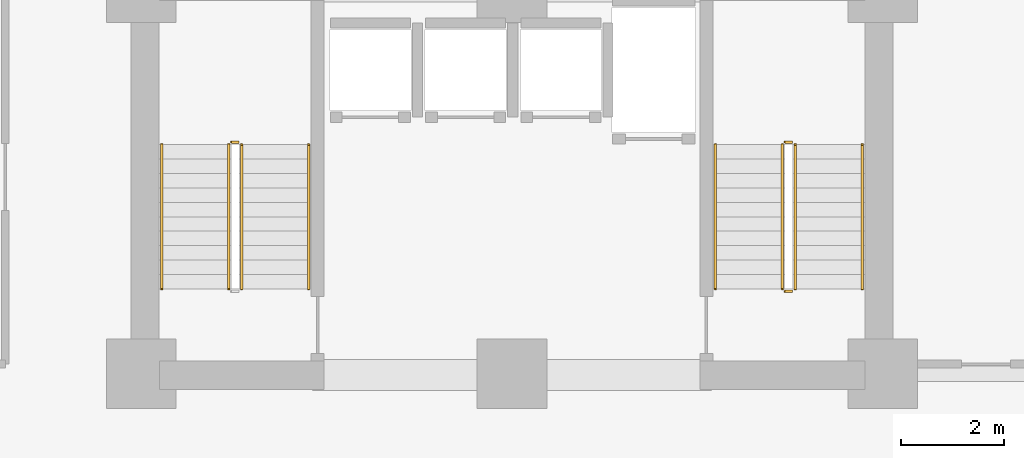
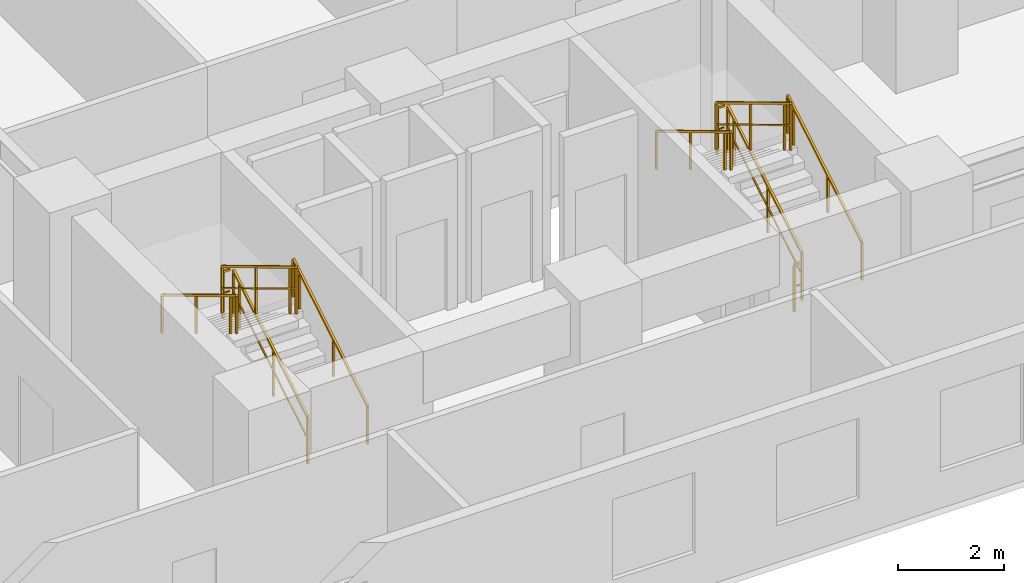
# One storey, part 18 of 19: 11 railings.
"""IFC4 building model written with IfcOpenShell, lengths in metres."""

from ifc_helpers import new_model, si_unit, direction, frame, origin, origin_2d, place, context, subcontext, project, spatial, rectangle, extrude, material, type_object, element, save


model = new_model("IFC4")

# Units and contexts
model_context = context("Model", 3, precision=1e-05, world=origin(), true_north=direction((0.0, 1.0)))
body_context = subcontext(model_context, "Body", "Model", "MODEL_VIEW")
ifc_project = project(units=[si_unit("LENGTHUNIT", "METRE"), si_unit("AREAUNIT", "SQUARE_METRE"), si_unit("VOLUMEUNIT", "CUBIC_METRE"), si_unit("PLANEANGLEUNIT", "RADIAN"), si_unit("MASSUNIT", "GRAM", prefix="KILO")], contexts=[model_context])

# Site, building, storey
site_placement = place(None, origin())
site = spatial("IfcSite", under=ifc_project, at=site_placement, CompositionType="ELEMENT")
building_placement = place(site_placement, origin())
building = spatial("IfcBuilding", under=site, at=building_placement, Name="Kaliganga Portal Commons", CompositionType="ELEMENT")
storey_placement = place(building_placement, frame((0.0, 0.0, 47.5)))
storey = spatial("IfcBuildingStorey", under=building, at=storey_placement, Name="L11", CompositionType="ELEMENT", Elevation=47.5)

# Railings
ifc_material_1 = material(Name="Galvanized Painted Steel Balustrade", Category="steel")
railing_type_1 = type_object("IfcRailingType", Name="RLG-STAIR-GRD", PredefinedType="GUARDRAIL", material=ifc_material_1)
railing_1_placement = place(storey_placement, frame((37.949951171875, 8.699951171875, 0.168212890625)))
element("IfcRailing", 1, at=railing_1_placement, inside=storey, type_object=railing_type_1, Name="L11 ST-B1 stair guard 1", PredefinedType="GUARDRAIL", context=body_context, shape_type="SweptSolid", body=[
    extrude(rectangle(XDim=0.048095703125, YDim=0.048095703125, at=origin_2d()), frame((0.0, 0.0, 1.072021484375), z_axis=(0.0, 0.857242210791, 0.514913383045), x_axis=(-1.0, 0.0, 0.0)), (0.0, 0.0, 1.0), 3.266357421875),
    extrude(rectangle(XDim=0.028076171875, YDim=0.028076171875, at=origin_2d()), frame((0.0, 0.0, 0.572021484375), z_axis=(0.0, 0.857242210791, 0.514913383045), x_axis=(-1.0, 0.0, 0.0)), (0.0, 0.0, 1.0), 3.266357421875),
    extrude(rectangle(XDim=0.0419921875, YDim=0.0419921875, at=origin_2d()), origin(), (0.0, 0.0, 1.0), 1.052001953125),
    extrude(rectangle(XDim=0.0419921875, YDim=0.0419921875, at=origin_2d()), frame((0.0, 1.285888671875, 0.7724609375)), (0.0, 0.0, 1.0), 1.052001953125),
    extrude(rectangle(XDim=0.0419921875, YDim=0.0419921875, at=origin_2d()), frame((0.0, 2.57177734375, 1.544677734375)), (0.0, 0.0, 1.0), 1.052001953125),
    extrude(rectangle(XDim=0.0419921875, YDim=0.0419921875, at=origin_2d()), frame((0.0, 2.800048828125, 1.681884765625)), (0.0, 0.0, 1.0), 1.052001953125),
])
railing_2_placement = place(storey_placement, frame((37.89990234375, 11.550048828125, 1.85009765625)))
element("IfcRailing", 2, at=railing_2_placement, inside=storey, type_object=railing_type_1, Name="L11 ST-B1 stair guard 2", PredefinedType="GUARDRAIL", context=body_context, shape_type="SweptSolid", body=[
    extrude(rectangle(XDim=0.048095703125, YDim=0.048095703125, at=origin_2d()), frame((0.0, 0.0, 1.076171875), z_axis=(-1.0, 0.0, 0.0), x_axis=(0.0, -1.0, 0.0)), (0.0, 0.0, 1.0), 0.14990234375),
    extrude(rectangle(XDim=0.028076171875, YDim=0.028076171875, at=origin_2d()), frame((0.0, 0.0, 0.572021484375), z_axis=(-1.0, 0.0, 0.0), x_axis=(0.0, -1.0, 0.0)), (0.0, 0.0, 1.0), 0.14990234375),
    extrude(rectangle(XDim=0.0419921875, YDim=0.0419921875, at=origin_2d()), frame((-0.14990234375, 0.0, 0.0)), (0.0, 0.0, 1.0), 1.052001953125),
])
railing_3_placement = place(storey_placement, frame((37.699951171875, 11.5, 2.01806640625)))
element("IfcRailing", 3, at=railing_3_placement, inside=storey, type_object=railing_type_1, Name="L11 ST-B1 stair guard 3", PredefinedType="GUARDRAIL", context=body_context, shape_type="SweptSolid", body=[
    extrude(rectangle(XDim=0.048095703125, YDim=0.048095703125, at=origin_2d()), frame((0.0, 0.0, 1.072021484375), z_axis=(0.0, -0.857242210791, 0.514913383045), x_axis=(1.0, 0.0, 0.0)), (0.0, 0.0, 1.0), 3.266357421875),
    extrude(rectangle(XDim=0.028076171875, YDim=0.028076171875, at=origin_2d()), frame((0.0, 0.0, 0.572021484375), z_axis=(0.0, -0.857242210791, 0.514913383045), x_axis=(1.0, 0.0, 0.0)), (0.0, 0.0, 1.0), 3.266357421875),
    extrude(rectangle(XDim=0.0419921875, YDim=0.0419921875, at=origin_2d()), origin(), (0.0, 0.0, 1.0), 1.052001953125),
    extrude(rectangle(XDim=0.0419921875, YDim=0.0419921875, at=origin_2d()), frame((0.0, -1.285888671875, 0.7724609375)), (0.0, 0.0, 1.0), 1.052001953125),
    extrude(rectangle(XDim=0.0419921875, YDim=0.0419921875, at=origin_2d()), frame((0.0, -2.57177734375, 1.544677734375)), (0.0, 0.0, 1.0), 1.052001953125),
    extrude(rectangle(XDim=0.0419921875, YDim=0.0419921875, at=origin_2d()), frame((0.0, -2.800048828125, 1.681884765625)), (0.0, 0.0, 1.0), 1.052001953125),
])
railing_4_placement = place(storey_placement, frame((48.699951171875, 8.699951171875, 0.168212890625)))
element("IfcRailing", 4, at=railing_4_placement, inside=storey, type_object=railing_type_1, Name="L11 ST-B2 stair guard 1", PredefinedType="GUARDRAIL", context=body_context, shape_type="SweptSolid", body=[
    extrude(rectangle(XDim=0.048095703125, YDim=0.048095703125, at=origin_2d()), frame((0.0, 0.0, 1.072021484375), z_axis=(0.0, 0.857242210791, 0.514913383045), x_axis=(-1.0, 0.0, 0.0)), (0.0, 0.0, 1.0), 3.266357421875),
    extrude(rectangle(XDim=0.028076171875, YDim=0.028076171875, at=origin_2d()), frame((0.0, 0.0, 0.572021484375), z_axis=(0.0, 0.857242210791, 0.514913383045), x_axis=(-1.0, 0.0, 0.0)), (0.0, 0.0, 1.0), 3.266357421875),
    extrude(rectangle(XDim=0.0419921875, YDim=0.0419921875, at=origin_2d()), origin(), (0.0, 0.0, 1.0), 1.052001953125),
    extrude(rectangle(XDim=0.0419921875, YDim=0.0419921875, at=origin_2d()), frame((0.0, 1.285888671875, 0.7724609375)), (0.0, 0.0, 1.0), 1.052001953125),
    extrude(rectangle(XDim=0.0419921875, YDim=0.0419921875, at=origin_2d()), frame((0.0, 2.57177734375, 1.544677734375)), (0.0, 0.0, 1.0), 1.052001953125),
    extrude(rectangle(XDim=0.0419921875, YDim=0.0419921875, at=origin_2d()), frame((0.0, 2.800048828125, 1.681884765625)), (0.0, 0.0, 1.0), 1.052001953125),
])
railing_5_placement = place(storey_placement, frame((48.64990234375, 11.550048828125, 1.85009765625)))
element("IfcRailing", 5, at=railing_5_placement, inside=storey, type_object=railing_type_1, Name="L11 ST-B2 stair guard 2", PredefinedType="GUARDRAIL", context=body_context, shape_type="SweptSolid", body=[
    extrude(rectangle(XDim=0.048095703125, YDim=0.048095703125, at=origin_2d()), frame((0.0, 0.0, 1.076171875), z_axis=(-1.0, 0.0, 0.0), x_axis=(0.0, -1.0, 0.0)), (0.0, 0.0, 1.0), 0.14990234375),
    extrude(rectangle(XDim=0.028076171875, YDim=0.028076171875, at=origin_2d()), frame((0.0, 0.0, 0.572021484375), z_axis=(-1.0, 0.0, 0.0), x_axis=(0.0, -1.0, 0.0)), (0.0, 0.0, 1.0), 0.14990234375),
    extrude(rectangle(XDim=0.0419921875, YDim=0.0419921875, at=origin_2d()), frame((-0.14990234375, 0.0, 0.0)), (0.0, 0.0, 1.0), 1.052001953125),
])
railing_6_placement = place(storey_placement, frame((48.449951171875, 11.5, 2.01806640625)))
element("IfcRailing", 6, at=railing_6_placement, inside=storey, type_object=railing_type_1, Name="L11 ST-B2 stair guard 3", PredefinedType="GUARDRAIL", context=body_context, shape_type="SweptSolid", body=[
    extrude(rectangle(XDim=0.048095703125, YDim=0.048095703125, at=origin_2d()), frame((0.0, 0.0, 1.072021484375), z_axis=(0.0, -0.857242210791, 0.514913383045), x_axis=(1.0, 0.0, 0.0)), (0.0, 0.0, 1.0), 3.266357421875),
    extrude(rectangle(XDim=0.028076171875, YDim=0.028076171875, at=origin_2d()), frame((0.0, 0.0, 0.572021484375), z_axis=(0.0, -0.857242210791, 0.514913383045), x_axis=(1.0, 0.0, 0.0)), (0.0, 0.0, 1.0), 3.266357421875),
    extrude(rectangle(XDim=0.0419921875, YDim=0.0419921875, at=origin_2d()), origin(), (0.0, 0.0, 1.0), 1.052001953125),
    extrude(rectangle(XDim=0.0419921875, YDim=0.0419921875, at=origin_2d()), frame((0.0, -1.285888671875, 0.7724609375)), (0.0, 0.0, 1.0), 1.052001953125),
    extrude(rectangle(XDim=0.0419921875, YDim=0.0419921875, at=origin_2d()), frame((0.0, -2.57177734375, 1.544677734375)), (0.0, 0.0, 1.0), 1.052001953125),
    extrude(rectangle(XDim=0.0419921875, YDim=0.0419921875, at=origin_2d()), frame((0.0, -2.800048828125, 1.681884765625)), (0.0, 0.0, 1.0), 1.052001953125),
])
railing_7_placement = place(storey_placement, frame((48.64990234375, 8.64990234375, 0.0)))
element("IfcRailing", 7, at=railing_7_placement, inside=storey, type_object=railing_type_1, Name="L11 ST-B2 stair guard 4", PredefinedType="GUARDRAIL", context=body_context, shape_type="SweptSolid", body=[
    extrude(rectangle(XDim=0.048095703125, YDim=0.048095703125, at=origin_2d()), frame((0.0, 0.0, 1.076171875), z_axis=(-1.0, 0.0, 0.0), x_axis=(0.0, -1.0, 0.0)), (0.0, 0.0, 1.0), 0.14990234375),
    extrude(rectangle(XDim=0.028076171875, YDim=0.028076171875, at=origin_2d()), frame((0.0, 0.0, 0.572021484375), z_axis=(-1.0, 0.0, 0.0), x_axis=(0.0, -1.0, 0.0)), (0.0, 0.0, 1.0), 0.14990234375),
    extrude(rectangle(XDim=0.0419921875, YDim=0.0419921875, at=origin_2d()), frame((-0.14990234375, 0.0, 0.0)), (0.0, 0.0, 1.0), 1.052001953125),
])
ifc_material_2 = material(Name="Brushed Stainless Steel 316", Category="steel")
railing_type_2 = type_object("IfcRailingType", Name="RLG-STAIR-HR", PredefinedType="HANDRAIL", material=ifc_material_2)
railing_8_placement = place(storey_placement, frame((39.25, 8.699951171875, 0.168212890625)))
element("IfcRailing", 8, at=railing_8_placement, inside=storey, type_object=railing_type_2, Name="L11 ST-B1 stair handrail 1", PredefinedType="HANDRAIL", context=body_context, shape_type="SweptSolid", body=[
    extrude(rectangle(XDim=0.048095703125, YDim=0.048095703125, at=origin_2d()), frame((0.0, 0.0, 0.871826171875), z_axis=(0.0, 0.857242210791, 0.514913383045), x_axis=(-1.0, 0.0, 0.0)), (0.0, 0.0, 1.0), 3.266357421875),
    extrude(rectangle(XDim=0.0419921875, YDim=0.0419921875, at=origin_2d()), origin(), (0.0, 0.0, 1.0), 0.851806640625),
    extrude(rectangle(XDim=0.0419921875, YDim=0.0419921875, at=origin_2d()), frame((0.0, 1.285888671875, 0.7724609375)), (0.0, 0.0, 1.0), 0.851806640625),
    extrude(rectangle(XDim=0.0419921875, YDim=0.0419921875, at=origin_2d()), frame((0.0, 2.57177734375, 1.544677734375)), (0.0, 0.0, 1.0), 0.851806640625),
    extrude(rectangle(XDim=0.0419921875, YDim=0.0419921875, at=origin_2d()), frame((0.0, 2.800048828125, 1.681884765625)), (0.0, 0.0, 1.0), 0.851806640625),
])
railing_9_placement = place(storey_placement, frame((36.39990234375, 11.5, 2.01806640625)))
element("IfcRailing", 9, at=railing_9_placement, inside=storey, type_object=railing_type_2, Name="L11 ST-B1 stair handrail 2", PredefinedType="HANDRAIL", context=body_context, shape_type="SweptSolid", body=[
    extrude(rectangle(XDim=0.048095703125, YDim=0.048095703125, at=origin_2d()), frame((0.0, 0.0, 0.871826171875), z_axis=(0.0, -0.857242210791, 0.514913383045), x_axis=(1.0, 0.0, 0.0)), (0.0, 0.0, 1.0), 3.266357421875),
    extrude(rectangle(XDim=0.0419921875, YDim=0.0419921875, at=origin_2d()), origin(), (0.0, 0.0, 1.0), 0.851806640625),
    extrude(rectangle(XDim=0.0419921875, YDim=0.0419921875, at=origin_2d()), frame((0.0, -1.285888671875, 0.7724609375)), (0.0, 0.0, 1.0), 0.851806640625),
    extrude(rectangle(XDim=0.0419921875, YDim=0.0419921875, at=origin_2d()), frame((0.0, -2.57177734375, 1.544677734375)), (0.0, 0.0, 1.0), 0.851806640625),
    extrude(rectangle(XDim=0.0419921875, YDim=0.0419921875, at=origin_2d()), frame((0.0, -2.800048828125, 1.681884765625)), (0.0, 0.0, 1.0), 0.851806640625),
])
railing_10_placement = place(storey_placement, frame((50.0, 8.699951171875, 0.168212890625)))
element("IfcRailing", 10, at=railing_10_placement, inside=storey, type_object=railing_type_2, Name="L11 ST-B2 stair handrail 1", PredefinedType="HANDRAIL", context=body_context, shape_type="SweptSolid", body=[
    extrude(rectangle(XDim=0.048095703125, YDim=0.048095703125, at=origin_2d()), frame((0.0, 0.0, 0.871826171875), z_axis=(0.0, 0.857242210791, 0.514913383045), x_axis=(-1.0, 0.0, 0.0)), (0.0, 0.0, 1.0), 3.266357421875),
    extrude(rectangle(XDim=0.0419921875, YDim=0.0419921875, at=origin_2d()), origin(), (0.0, 0.0, 1.0), 0.851806640625),
    extrude(rectangle(XDim=0.0419921875, YDim=0.0419921875, at=origin_2d()), frame((0.0, 1.285888671875, 0.7724609375)), (0.0, 0.0, 1.0), 0.851806640625),
    extrude(rectangle(XDim=0.0419921875, YDim=0.0419921875, at=origin_2d()), frame((0.0, 2.57177734375, 1.544677734375)), (0.0, 0.0, 1.0), 0.851806640625),
    extrude(rectangle(XDim=0.0419921875, YDim=0.0419921875, at=origin_2d()), frame((0.0, 2.800048828125, 1.681884765625)), (0.0, 0.0, 1.0), 0.851806640625),
])
railing_11_placement = place(storey_placement, frame((47.14990234375, 11.5, 2.01806640625)))
element("IfcRailing", 11, at=railing_11_placement, inside=storey, type_object=railing_type_2, Name="L11 ST-B2 stair handrail 2", PredefinedType="HANDRAIL", context=body_context, shape_type="SweptSolid", body=[
    extrude(rectangle(XDim=0.048095703125, YDim=0.048095703125, at=origin_2d()), frame((0.0, 0.0, 0.871826171875), z_axis=(0.0, -0.857242210791, 0.514913383045), x_axis=(1.0, 0.0, 0.0)), (0.0, 0.0, 1.0), 3.266357421875),
    extrude(rectangle(XDim=0.0419921875, YDim=0.0419921875, at=origin_2d()), origin(), (0.0, 0.0, 1.0), 0.851806640625),
    extrude(rectangle(XDim=0.0419921875, YDim=0.0419921875, at=origin_2d()), frame((0.0, -1.285888671875, 0.7724609375)), (0.0, 0.0, 1.0), 0.851806640625),
    extrude(rectangle(XDim=0.0419921875, YDim=0.0419921875, at=origin_2d()), frame((0.0, -2.57177734375, 1.544677734375)), (0.0, 0.0, 1.0), 0.851806640625),
    extrude(rectangle(XDim=0.0419921875, YDim=0.0419921875, at=origin_2d()), frame((0.0, -2.800048828125, 1.681884765625)), (0.0, 0.0, 1.0), 0.851806640625),
])

save(model, "model.ifc")
